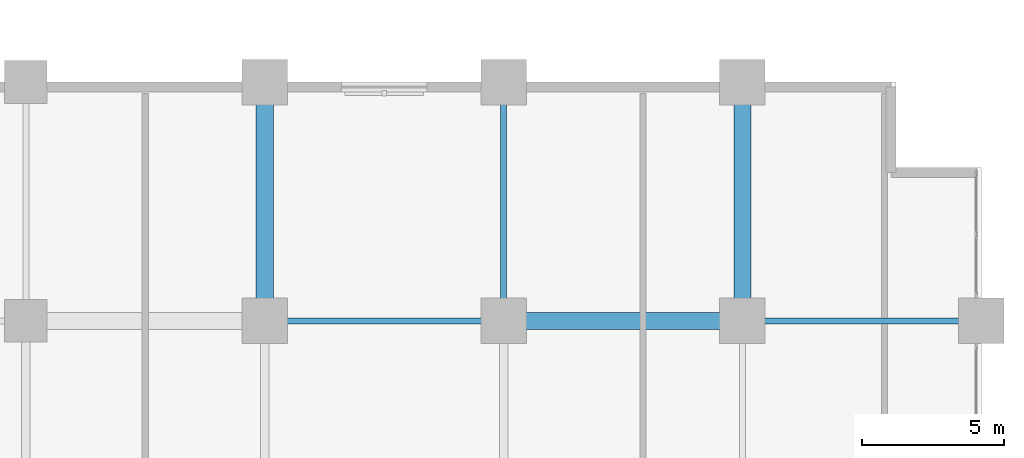
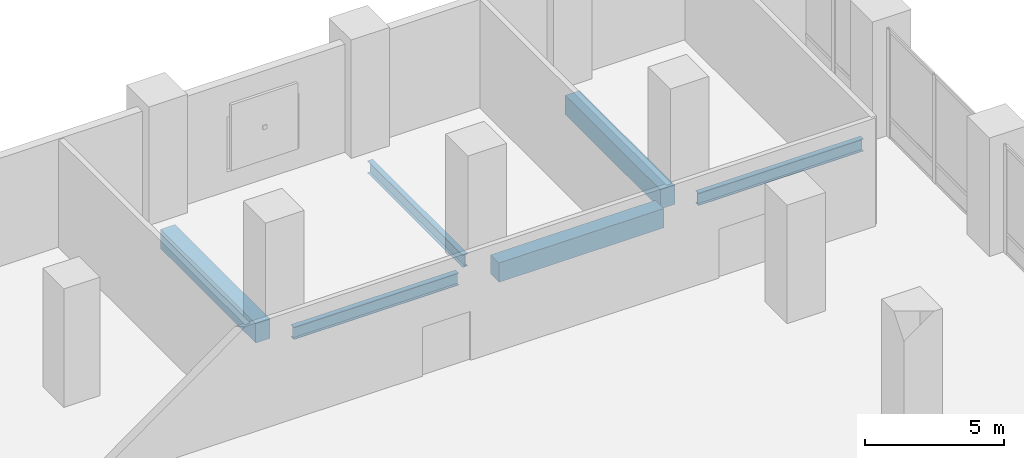
# One storey, part 6 of 23: 6 beams.
"""IFC4 building model written with IfcOpenShell, lengths in metres."""

from ifc_helpers import new_model, si_unit, direction, frame, origin, origin_2d, place, context, subcontext, project, spatial, rectangle, i_section, extrude, material, material_profile, profile_set, type_object, element, save


model = new_model("IFC4")

# Units and contexts
model_context = context("Model", 3, precision=1e-05, world=origin(), true_north=direction((0.0, 1.0)))
body_context = subcontext(model_context, "Body", "Model", "MODEL_VIEW")
ifc_project = project(units=[si_unit("LENGTHUNIT", "METRE"), si_unit("AREAUNIT", "SQUARE_METRE"), si_unit("VOLUMEUNIT", "CUBIC_METRE"), si_unit("PLANEANGLEUNIT", "RADIAN"), si_unit("MASSUNIT", "GRAM", prefix="KILO")], contexts=[model_context])

# Site, building, storey
site_placement = place(None, origin())
site = spatial("IfcSite", under=ifc_project, at=site_placement, CompositionType="ELEMENT")
building_placement = place(site_placement, origin())
building = spatial("IfcBuilding", under=site, at=building_placement, Name="Koriwani Terraces Tower", CompositionType="ELEMENT")
storey_placement = place(building_placement, frame((0.0, 0.0, 20.800048828125)))
storey = spatial("IfcBuildingStorey", under=building, at=storey_placement, Name="L04", CompositionType="ELEMENT", Elevation=20.800048828125)

# Beams
ifc_material_1 = material(Name="Concrete C60/75", Category="concrete")
ifc_material_profile_1 = material_profile(ifc_material_1, rectangle(XDim=0.60009765625, YDim=0.85009765625, at=origin_2d()), Name="Concrete C60/75", Category="LoadBearing")
ifc_profile_set_1 = profile_set([ifc_material_profile_1], Name="Concrete C60/75")
beam_type_1 = type_object("IfcBeamType", Name="BEAM_RC_GRID_600X850", PredefinedType="BEAM", material=ifc_profile_set_1)
for number, where, z_axis, x_axis, name in (
    (1, (76.3798828125, 33.60009765625, -0.775146484375), (1.0, 0.0, 0.0), (0.0, 1.0, 0.0), "L04 Grid Beam E (75.6-84.0m)"),
    (2, (67.199951171875, 34.3798828125, -0.775146484375), (0.0, 1.0, 0.0), (-1.0, 0.0, 0.0), "L04 Grid Beam 9 (33.6-42.0m)"),
    (3, (84.0, 34.3798828125, -0.775146484375), (0.0, 1.0, 0.0), (-1.0, 0.0, 0.0), "L04 Grid Beam 11 (33.6-42.0m)"),
):
    element("IfcBeam", number, at=place(storey_placement, frame(where, z_axis=z_axis, x_axis=x_axis)), inside=storey, type_object=beam_type_1, Name=name, PredefinedType="BEAM", context=body_context, shape_type="SweptSolid", body=[
        extrude(rectangle(XDim=0.60009765625, YDim=0.85009765625, at=origin_2d()), origin(), (0.0, 0.0, 1.0), 6.840087890625),
    ])
ifc_material_2 = material(Name="Steel ASTM A572 Grade 50", Category="steel")
ifc_material_profile_2 = material_profile(ifc_material_2, i_section(OverallWidth=0.2119140625, OverallDepth=0.54296875, WebThickness=0.0126953125, FlangeThickness=0.021240234375, at=origin_2d()), Name="Steel ASTM A572 Grade 50", Category="LoadBearing")
ifc_profile_set_2 = profile_set([ifc_material_profile_2], Name="Steel ASTM A572 Grade 50")
beam_type_2 = type_object("IfcBeamType", Name="STEEL_BEAM_W530X150", PredefinedType="BEAM", material=ifc_profile_set_2)
for number, where, z_axis, x_axis, name in (
    (4, (67.97998046875, 33.60009765625, -0.62158203125), (1.0, 0.0, 0.0), (0.0, 1.0, 0.0), "L04 Grid Beam E (67.2-75.6m)"),
    (5, (84.780029296875, 33.60009765625, -0.62158203125), (1.0, 0.0, 0.0), (0.0, 1.0, 0.0), "L04 Grid Beam E (84.0-92.4m)"),
    (6, (75.60009765625, 34.3798828125, -0.62158203125), (0.0, 1.0, 0.0), (-1.0, 0.0, 0.0), "L04 Grid Beam 10 (33.6-42.0m)"),
):
    element("IfcBeam", number, at=place(storey_placement, frame(where, z_axis=z_axis, x_axis=x_axis)), inside=storey, type_object=beam_type_2, Name=name, PredefinedType="BEAM", context=body_context, shape_type="SweptSolid", body=[
        extrude(i_section(OverallWidth=0.2119140625, OverallDepth=0.54296875, WebThickness=0.0126953125, FlangeThickness=0.021240234375, at=origin_2d()), origin(), (0.0, 0.0, 1.0), 6.840087890625),
    ])

save(model, "model.ifc")
